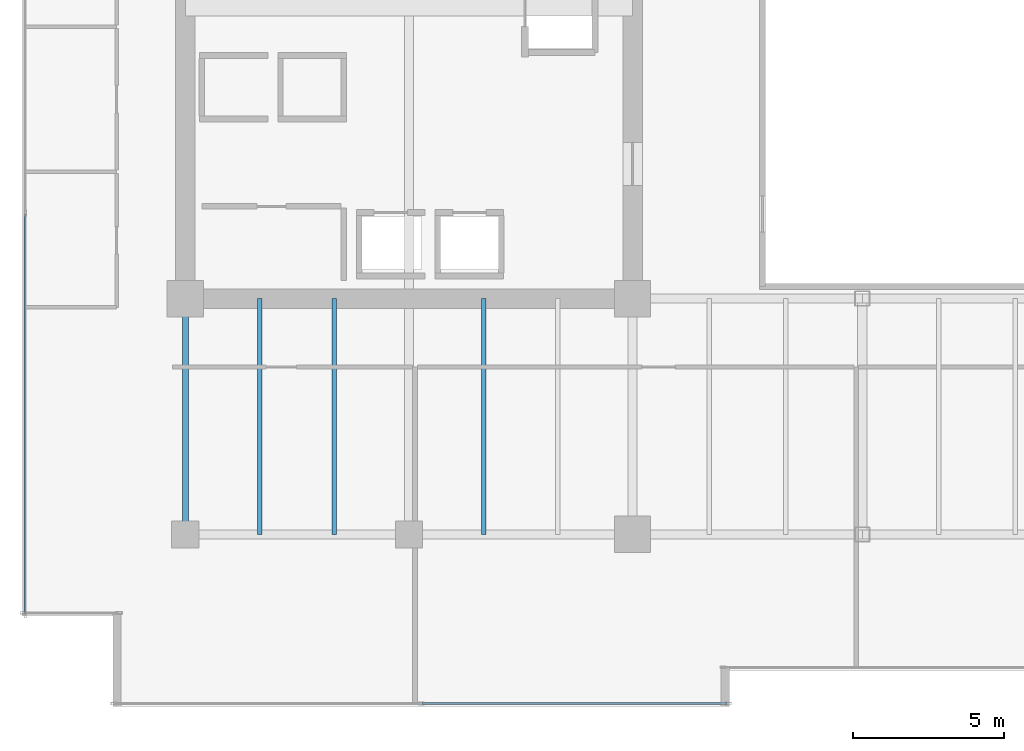
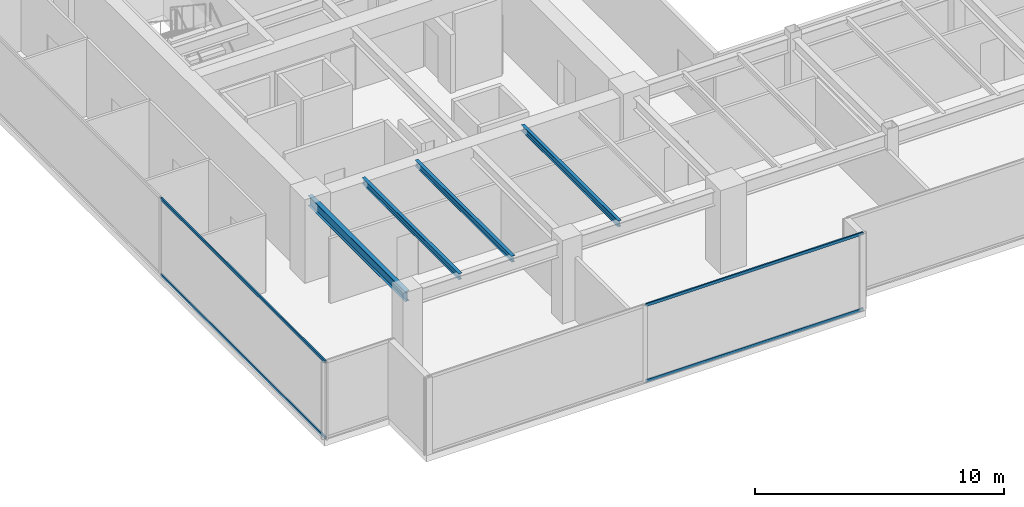
# One storey, part 3 of 31: 4 beams, 4 members, 2 elements without a shape of their own.
"""IFC4 building model written with IfcOpenShell, lengths in metres."""

from ifc_helpers import new_model, si_unit, direction, frame, origin, origin_2d, place, context, subcontext, project, spatial, hollow_rectangle, i_section, extrude, source, transform, mapped, material, layer, layer_set, material_profile, profile_set, type_object, type_shapes, element, aggregate, save


model = new_model("IFC4")

# Units and contexts
model_context = context("Model", 3, precision=1e-05, world=origin(), true_north=direction((0.0, 1.0)))
body_context = subcontext(model_context, "Body", "Model", "MODEL_VIEW")
ifc_project = project(units=[si_unit("LENGTHUNIT", "METRE"), si_unit("AREAUNIT", "SQUARE_METRE"), si_unit("VOLUMEUNIT", "CUBIC_METRE"), si_unit("PLANEANGLEUNIT", "RADIAN"), si_unit("MASSUNIT", "GRAM", prefix="KILO")], contexts=[model_context])

# Site, building, storey
site_placement = place(None, origin())
site = spatial("IfcSite", under=ifc_project, at=site_placement, CompositionType="ELEMENT")
building_placement = place(site_placement, origin())
building = spatial("IfcBuilding", under=site, at=building_placement, Name="Haelvirn Gate Laboratories", CompositionType="ELEMENT")
storey_placement = place(building_placement, frame((0.0, 0.0, 154.300048828125)))
storey = spatial("IfcBuildingStorey", under=building, at=storey_placement, Name="L37", CompositionType="ELEMENT", Elevation=154.300048828125)

# Beams
ifc_material_1 = material(Name="Steel SM355", Category="steel")
ifc_material_profile_1 = material_profile(ifc_material_1, i_section(OverallWidth=0.199951171875, OverallDepth=0.5, WebThickness=0.010009765625, FlangeThickness=0.01611328125, at=origin_2d()), Name="H-500x200x10x16")
ifc_profile_set_1 = profile_set([ifc_material_profile_1], Name="Steel SM355")
beam_type_1 = type_object("IfcBeamType", Name="BM-SP-500", PredefinedType="SPANDREL", material=ifc_profile_set_1)
shared_shape_1 = source(origin(), body_context, "Body", "SweptSolid", [
    extrude(i_section(OverallWidth=0.199951171875, OverallDepth=0.5, WebThickness=0.010009765625, FlangeThickness=0.01611328125, at=origin_2d()), origin(), (0.0, 0.0, 1.0), 7.800048828125),
])
type_shapes(beam_type_1, [shared_shape_1])
beam_placement = place(storey_placement, frame((7.39990234375, 7.0, 3.5400390625), z_axis=(0.0, 1.0, 0.0), x_axis=(-1.0, 0.0, 0.0)))
element("IfcBeam", 1, at=beam_placement, inside=storey, type_object=beam_type_1, Name="L37 Perimeter Spandrel X7.4 (7.0-14.8)", PredefinedType="SPANDREL", context=body_context, shape_type="MappedRepresentation", body=[
    mapped(shared_shape_1, transform((0.0, 0.0, 0.0), scale=1.0)),
])
ifc_material_profile_2 = material_profile(ifc_material_1, i_section(OverallWidth=0.14990234375, OverallDepth=0.300048828125, WebThickness=0.006591796875, FlangeThickness=0.009033203125, at=origin_2d()), Name="H-300x150x6.5x9")
ifc_profile_set_2 = profile_set([ifc_material_profile_2], Name="Steel SM355")
beam_type_2 = type_object("IfcBeamType", Name="BM-J-300", PredefinedType="JOIST", material=ifc_profile_set_2)
shared_shape_2 = source(origin(), body_context, "Body", "SweptSolid", [
    extrude(i_section(OverallWidth=0.14990234375, OverallDepth=0.300048828125, WebThickness=0.006591796875, FlangeThickness=0.009033203125, at=origin_2d()), origin(), (0.0, 0.0, 1.0), 7.800048828125),
])
type_shapes(beam_type_2, [shared_shape_2])
for number, where, z_axis, x_axis, name in (
    (2, (9.8701171875, 7.0, 3.639892578125), (0.0, 1.0, 0.0), (-1.0, 0.0, 0.0), "L37 Composite Lab Joist South X9.87"),
    (3, (12.330078125, 7.0, 3.639892578125), (0.0, 1.0, 0.0), (-1.0, 0.0, 0.0), "L37 Composite Lab Joist South X12.33"),
    (4, (17.27001953125, 7.0, 3.639892578125), (0.0, 1.0, 0.0), (-1.0, 0.0, 0.0), "L37 Composite Lab Joist South X17.27"),
):
    element("IfcBeam", number, at=place(storey_placement, frame(where, z_axis=z_axis, x_axis=x_axis)), inside=storey, type_object=beam_type_2, Name=name, PredefinedType="JOIST", context=body_context, shape_type="MappedRepresentation", body=[
        mapped(shared_shape_2, transform((0.0, 0.0, 0.0), scale=1.0)),
    ])

# Curtain wall, members
ifc_material_2 = material(Name="Anodised bronze unitised aluminium & triple low-E glass", Category="aluminium")
ifc_layer = layer(ifc_material_2, 0.179931640625, Name="CW-SYS-3")
ifc_layer_set = layer_set([ifc_layer], Name="Anodised bronze unitised aluminium & triple low-E glass")
curtain_wall_type = type_object("IfcCurtainWallType", Name="CW-SYS-3", PredefinedType="NOTDEFINED", material=ifc_layer_set)
curtain_wall_1_placement = place(storey_placement, origin())
curtain_wall_1 = element("IfcCurtainWall", 5, at=curtain_wall_1_placement, inside=storey, type_object=curtain_wall_type, Name="L37 Unitised Curtain Wall CW-L37-P0-E00-1", PredefinedType="NOTDEFINED")
ifc_material_3 = material(Name="Extruded aluminium 6063-T6 (anodised bronze)", Category="aluminium")
ifc_material_profile_3 = material_profile(ifc_material_3, hollow_rectangle(XDim=0.06494140625, YDim=0.139892578125, WallThickness=0.00390625, at=origin_2d()), Name="CWT-140x65x4")
ifc_profile_set_3 = profile_set([ifc_material_profile_3], Name="Extruded aluminium 6063-T6 (anodised bronze)")
member_type = type_object("IfcMemberType", Name="CWT-T140", PredefinedType="USERDEFINED", material=ifc_profile_set_3)
shared_shape_3 = source(origin(), body_context, "Body", "SweptSolid", [
    extrude(hollow_rectangle(XDim=0.06494140625, YDim=0.139892578125, WallThickness=0.00390625, at=origin_2d()), origin(), (0.0, 0.0, 1.0), 10.08740234375),
])
member_1_placement = place(storey_placement, frame((15.237548828125, 1.39990234375, 0.032470703125), z_axis=(1.0, 0.0, 0.0), x_axis=(0.0, 1.0, 0.0)))
member_1 = element("IfcMember", 6, at=member_1_placement, type_object=member_type, Name="CW3 transom 2.1", ObjectType="TRANSOM", PredefinedType="USERDEFINED", context=body_context, shape_type="MappedRepresentation", body=[
    mapped(shared_shape_3, transform((0.0, 0.0, 0.0), scale=1.0)),
])
member_2_placement = place(storey_placement, frame((15.237548828125, 1.39990234375, 3.757568359375), z_axis=(1.0, 0.0, 0.0), x_axis=(0.0, 1.0, 0.0)))
member_2 = element("IfcMember", 7, at=member_2_placement, type_object=member_type, Name="CW3 transom 2.2", ObjectType="TRANSOM", PredefinedType="USERDEFINED", context=body_context, shape_type="MappedRepresentation", body=[
    mapped(shared_shape_3, transform((0.0, 0.0, 0.0), scale=1.0)),
])
aggregate(curtain_wall_1, [member_1, member_2])

curtain_wall_2_placement = place(storey_placement, origin())
curtain_wall_2 = element("IfcCurtainWall", 8, at=curtain_wall_2_placement, inside=storey, type_object=curtain_wall_type, Name="L37 Unitised Curtain Wall CW-L37-P0-E17", PredefinedType="NOTDEFINED")
shared_shape_4 = source(origin(), body_context, "Body", "SweptSolid", [
    extrude(hollow_rectangle(XDim=0.06494140625, YDim=0.139892578125, WallThickness=0.00390625, at=origin_2d()), origin(), (0.0, 0.0, 1.0), 13.220947265625),
])
type_shapes(member_type, [shared_shape_3, shared_shape_4])
member_3_placement = place(storey_placement, frame((2.10009765625, 17.595947265625, 0.032470703125), z_axis=(0.0, -1.0, 0.0), x_axis=(1.0, 0.0, 0.0)))
member_3 = element("IfcMember", 9, at=member_3_placement, type_object=member_type, Name="CW3 transom 3.1", ObjectType="TRANSOM", PredefinedType="USERDEFINED", context=body_context, shape_type="MappedRepresentation", body=[
    mapped(shared_shape_4, transform((0.0, 0.0, 0.0), scale=1.0)),
])
member_4_placement = place(storey_placement, frame((2.10009765625, 17.595947265625, 3.757568359375), z_axis=(0.0, -1.0, 0.0), x_axis=(1.0, 0.0, 0.0)))
member_4 = element("IfcMember", 10, at=member_4_placement, type_object=member_type, Name="CW3 transom 3.2", ObjectType="TRANSOM", PredefinedType="USERDEFINED", context=body_context, shape_type="MappedRepresentation", body=[
    mapped(shared_shape_4, transform((0.0, 0.0, 0.0), scale=1.0)),
])
aggregate(curtain_wall_2, [member_3, member_4])

save(model, "model.ifc")
